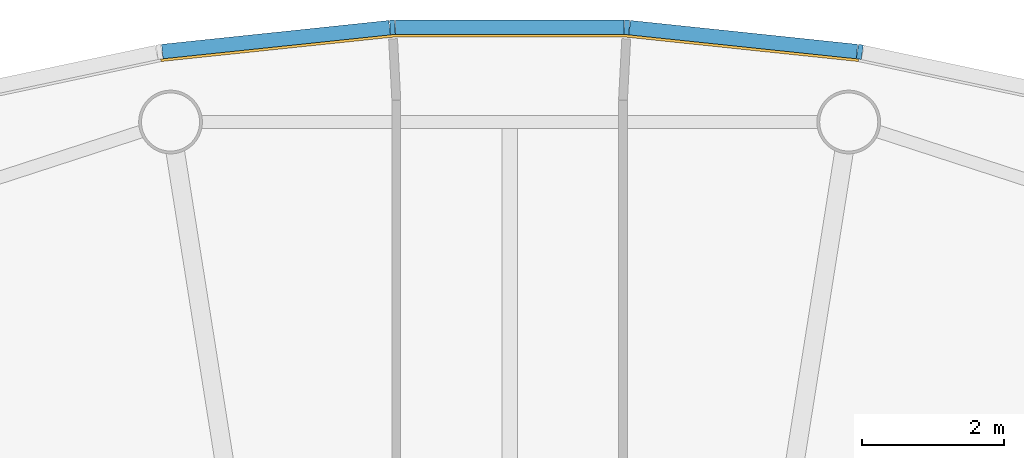
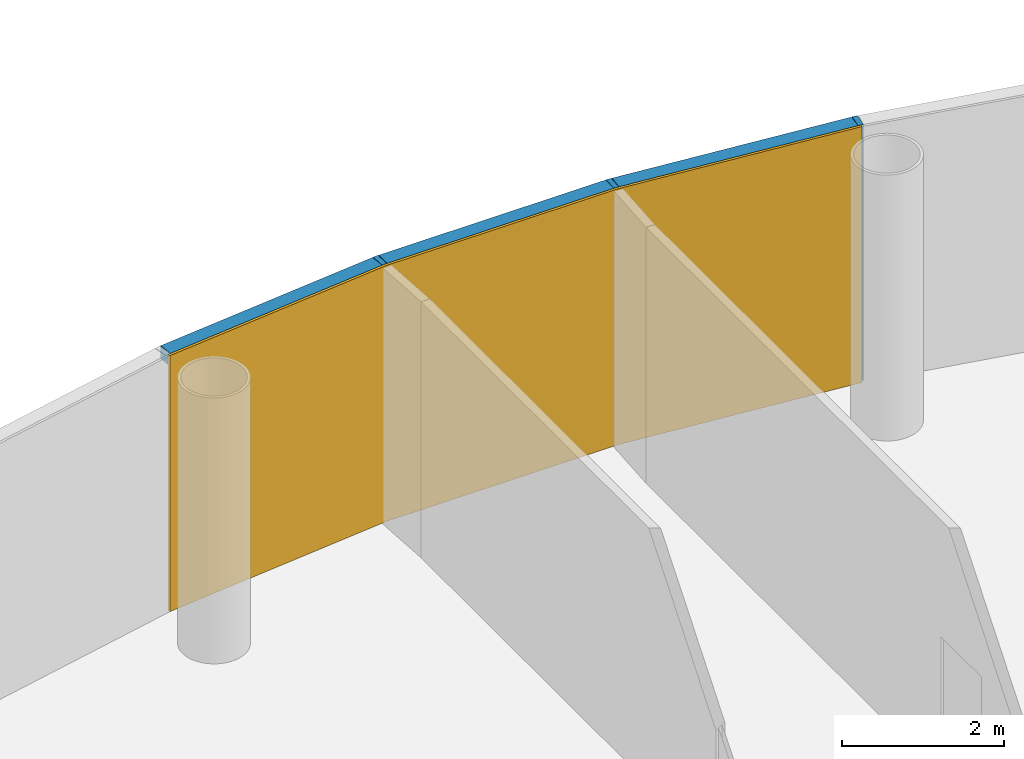
# One storey, part 11 of 13: 6 members, 1 curtain wall.
"""IFC4 building model written with IfcOpenShell, lengths in metres."""

from ifc_helpers import new_model, si_unit, direction, frame, origin, origin_2d, place, context, subcontext, project, spatial, polyline, rectangle, outline, extrude, material, layer, layer_set, material_profile, profile_set, type_object, element, aggregate, save


model = new_model("IFC4")

# Units and contexts
model_context = context("Model", 3, precision=1e-05, world=origin(), true_north=direction((0.0, 1.0)))
body_context = subcontext(model_context, "Body", "Model", "MODEL_VIEW")
ifc_project = project(units=[si_unit("LENGTHUNIT", "METRE"), si_unit("AREAUNIT", "SQUARE_METRE"), si_unit("VOLUMEUNIT", "CUBIC_METRE"), si_unit("PLANEANGLEUNIT", "RADIAN"), si_unit("MASSUNIT", "GRAM", prefix="KILO")], contexts=[model_context])

# Member
ifc_material_1 = material(Name="Anodised aluminium", Category="aluminium")
ifc_material_profile_1 = material_profile(ifc_material_1, rectangle(XDim=0.070068359375, YDim=0.205078125, at=origin_2d()), Name="Mullion 70 x 205 mm anodised aluminium")
ifc_profile_set_1 = profile_set([ifc_material_profile_1], Name="Anodised aluminium")
member_type_1 = type_object("IfcMemberType", Name="Mullion 70 x 205 mm anodised aluminium", PredefinedType="MULLION", material=ifc_profile_set_1)
site_placement = place(None, origin())
building_placement = place(site_placement, origin())
storey_placement = place(building_placement, frame((0.0, 0.0, 340.0)))
member_1_placement = place(storey_placement, frame((94.943603515625, 111.21337890625, 0.0), z_axis=(0.0, 0.0, 1.0), x_axis=(-0.987688340595, 0.15643446504, 0.0)))
member_1 = element("IfcMember", 1, at=member_1_placement, type_object=member_type_1, Name="MULLION L78-12", PredefinedType="MULLION", context=body_context, shape_type="SweptSolid", body=[
    extrude(rectangle(XDim=0.070068359375, YDim=0.205078125, at=origin_2d()), origin(), (0.0, 0.0, 1.0), 3.85009765625),
])

member_2_placement = place(storey_placement, frame((91.654052734375, 111.55908203125, 0.0), z_axis=(0.0, 0.0, 1.0), x_axis=(-0.998629534755, 0.052335956243, 0.0)))
member_2 = element("IfcMember", 2, at=member_2_placement, type_object=member_type_1, Name="MULLION L78-13", PredefinedType="MULLION", context=body_context, shape_type="SweptSolid", body=[
    extrude(rectangle(XDim=0.070068359375, YDim=0.205078125, at=origin_2d()), origin(), (0.0, 0.0, 1.0), 3.85009765625),
])

member_3_placement = place(storey_placement, frame((88.345947265625, 111.55908203125, 0.0), z_axis=(0.0, 0.0, 1.0), x_axis=(-0.998629534755, -0.052335956243, 0.0)))
member_3 = element("IfcMember", 3, at=member_3_placement, type_object=member_type_1, Name="MULLION L78-14", PredefinedType="MULLION", context=body_context, shape_type="SweptSolid", body=[
    extrude(rectangle(XDim=0.070068359375, YDim=0.205078125, at=origin_2d()), origin(), (0.0, 0.0, 1.0), 3.85009765625),
])

ifc_material_2 = material(Name="Anodised aluminium", Category="aluminium")
ifc_material_profile_2 = material_profile(ifc_material_2, rectangle(XDim=0.205078125, YDim=0.195068359375, at=origin_2d()), Name="Transom 195 x 205 mm anodised aluminium")
ifc_profile_set_2 = profile_set([ifc_material_profile_2], Name="Anodised aluminium")
member_type_2 = type_object("IfcMemberType", Name="Transom 195 x 205 mm anodised aluminium", PredefinedType="USERDEFINED", material=ifc_profile_set_2)
member_4_placement = place(storey_placement, frame((94.903564453125, 111.2177734375, 3.75244140625), z_axis=(-0.994519537956, 0.104550890115, 0.0), x_axis=(-0.104550890115, -0.994519537956, 0.0)))
member_4 = element("IfcMember", 4, at=member_4_placement, type_object=member_type_2, Name="TRANSOM L78-12", ObjectType="TRANSOM", PredefinedType="USERDEFINED", context=body_context, shape_type="SweptSolid", body=[
    extrude(rectangle(XDim=0.205078125, YDim=0.195068359375, at=origin_2d()), origin(), (0.0, 0.0, 1.0), 3.22705078125),
])

member_5_placement = place(storey_placement, frame((91.613525390625, 111.559326171875, 3.75244140625), z_axis=(-1.0, 0.0, 0.0), x_axis=(0.0, -1.0, 0.0)))
member_5 = element("IfcMember", 5, at=member_5_placement, type_object=member_type_2, Name="TRANSOM L78-13", ObjectType="TRANSOM", PredefinedType="USERDEFINED", context=body_context, shape_type="SweptSolid", body=[
    extrude(rectangle(XDim=0.205078125, YDim=0.195068359375, at=origin_2d()), origin(), (0.0, 0.0, 1.0), 3.22705078125),
])

member_6_placement = place(storey_placement, frame((88.305908203125, 111.55517578125, 3.75244140625), z_axis=(-0.994519537956, -0.104550890115, 0.0), x_axis=(0.104550890115, -0.994519537956, 0.0)))
member_6 = element("IfcMember", 6, at=member_6_placement, type_object=member_type_2, Name="TRANSOM L78-14", ObjectType="TRANSOM", PredefinedType="USERDEFINED", context=body_context, shape_type="SweptSolid", body=[
    extrude(rectangle(XDim=0.205078125, YDim=0.195068359375, at=origin_2d()), origin(), (0.0, 0.0, 1.0), 3.22705078125),
])

# Site, building, storey
site = spatial("IfcSite", under=ifc_project, at=site_placement, CompositionType="ELEMENT")
building = spatial("IfcBuilding", under=site, at=building_placement, Name="Entoto Ring Tower", CompositionType="ELEMENT")
storey = spatial("IfcBuildingStorey", under=building, at=storey_placement, Name="L78", CompositionType="ELEMENT", Elevation=340.0)

# Curtain wall
ifc_material_3 = material(Name="Clear low-iron glass", Category="glass")
ifc_layer = layer(ifc_material_3, 0.035888671875)
ifc_layer_set = layer_set([ifc_layer], Name="Clear low-iron glass")
curtain_wall_type = type_object("IfcCurtainWallType", Name="Curtain wall system CW6 glazing 36 mm", PredefinedType="NOTDEFINED", material=ifc_layer_set)
curtain_wall_placement = place(storey_placement, origin())
curtain_wall = element("IfcCurtainWall", 7, at=curtain_wall_placement, inside=storey, type_object=curtain_wall_type, Name="CW6 L78-05", PredefinedType="NOTDEFINED", context=body_context, shape_type="SweptSolid", body=[
    extrude(outline(polyline([(94.927734375, 111.1123046875), (91.648681640625, 111.456787109375), (88.351318359375, 111.456787109375), (85.072265625, 111.1123046875), (85.077880859375, 111.07666015625), (88.353271484375, 111.4208984375), (91.646728515625, 111.4208984375), (94.922119140625, 111.07666015625), (94.927734375, 111.1123046875)])), origin(), (0.0, 0.0, 1.0), 3.85009765625),
])

aggregate(curtain_wall, [member_1, member_2, member_3, member_4, member_5, member_6])

save(model, "model.ifc")
